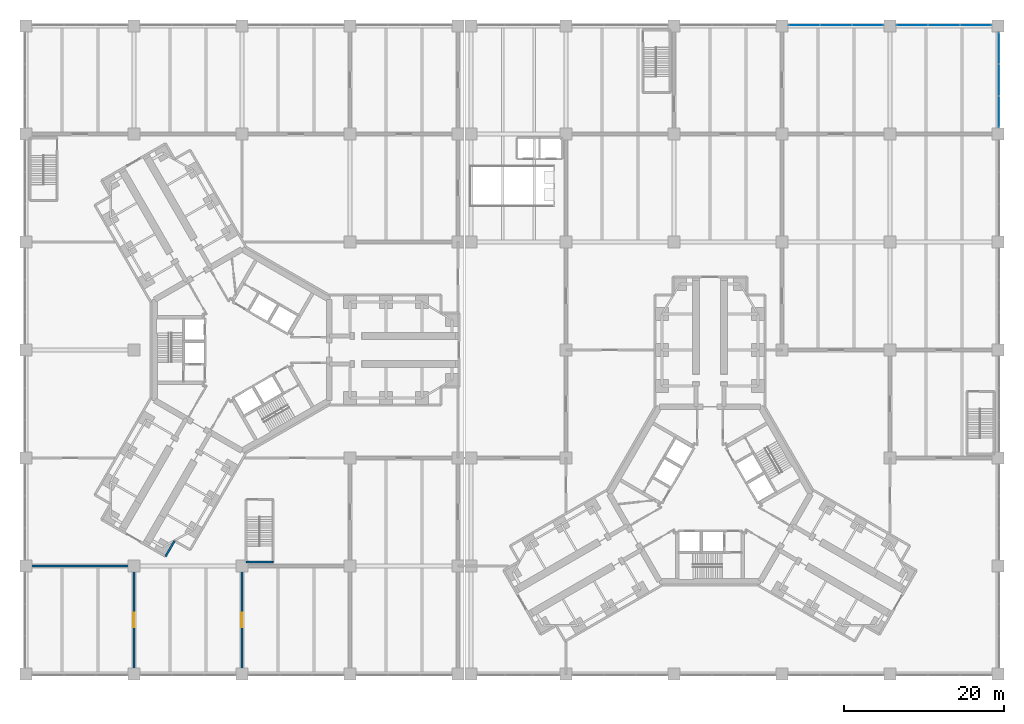
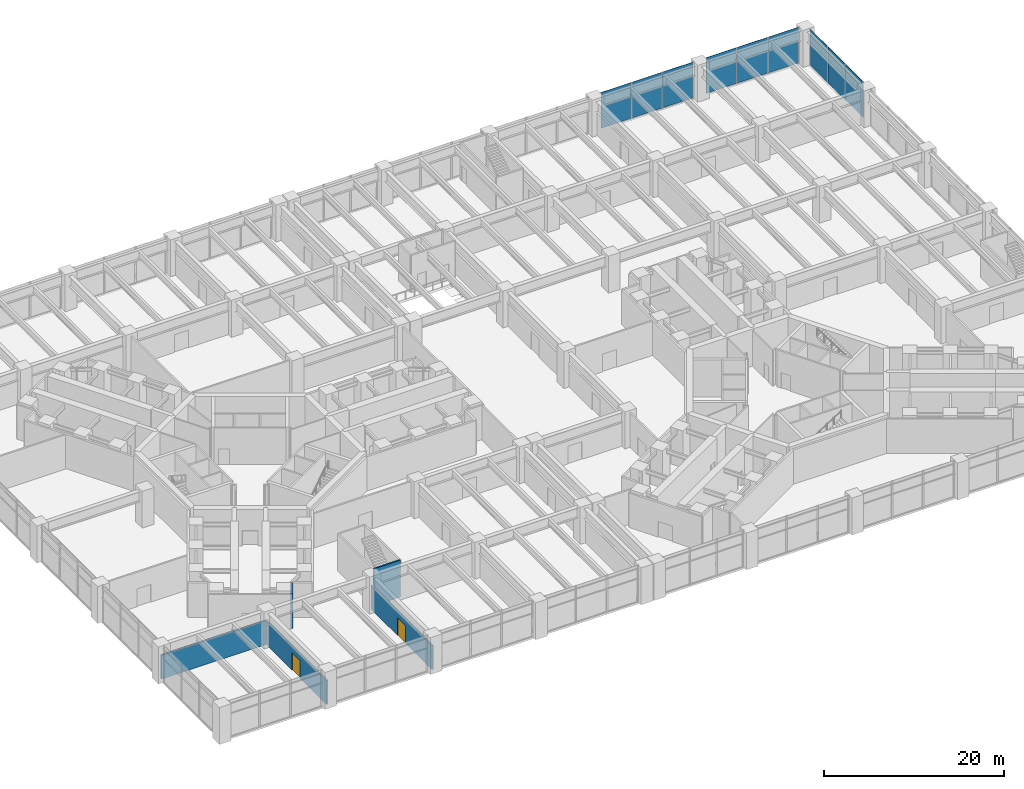
# One storey, part 20 of 31: 9 plates, 5 walls, 2 doors, 2 openings, 3 elements without a shape of their own.
"""IFC4 building model written with IfcOpenShell, lengths in metres."""

import ifcopenshell
import ifcopenshell.guid

model = None  # the IFC model being written
_history = None  # IfcOwnerHistory: only IFC2X3 demands one
_inside = {}  # id of a spatial element -> (the spatial element, [elements in it])
_under = {}  # id of a project, library or spatial element -> (it, [spatial elements below it])
_declared = {}  # id of a project -> (the project, [libraries it declares])
_typed = {}  # id of a type object -> (the type object, [elements of that type])
_made_of = {}  # id of a material, layer set ... -> (it, [elements and type objects made of it])


def new_model(schema):
    """Start an empty IFC model of exactly this schema.

    Asked for "IFC4X3", IfcOpenShell would pick the latest addendum, in which some entities
    have other attributes; the version numbers below select the first issue.
    IFC2X3 requires an IfcOwnerHistory on every rooted entity: one is made here for all.
    """
    global model, _history
    if schema == "IFC4X3":
        model = ifcopenshell.file(schema_version=(4, 3, 0, 0))
    else:
        model = ifcopenshell.file(schema=schema)
    _inside.clear()
    _under.clear()
    _declared.clear()
    _typed.clear()
    _made_of.clear()
    _history = None
    if model.schema == "IFC2X3":
        org = make("IfcOrganization", Name="unknown")
        user = make(
            "IfcPersonAndOrganization",
            ThePerson=make("IfcPerson", FamilyName="unknown"),
            TheOrganization=org,
        )
        app = make(
            "IfcApplication",
            ApplicationDeveloper=org,
            Version="unknown",
            ApplicationFullName="unknown",
            ApplicationIdentifier="unknown",
        )
        _history = make(
            "IfcOwnerHistory",
            OwningUser=user,
            OwningApplication=app,
            ChangeAction="ADDED",
            CreationDate=0,
        )
    return model


def make(cls, **values):
    """One entity of the class cls with the attributes given. An attribute that is None is left unset."""
    return model.create_entity(
        cls, **{name: value for name, value in values.items() if value is not None}
    )


def rooted(cls, **values):
    """An entity with a GlobalId (a new one), such as an element, a storey or a relation."""
    return make(cls, GlobalId=ifcopenshell.guid.new(), OwnerHistory=_history, **values)


def si_unit(unit_type, name, prefix=None):
    """IfcSIUnit, for example si_unit("LENGTHUNIT", "METRE", prefix="MILLI")."""
    return make("IfcSIUnit", UnitType=unit_type, Prefix=prefix, Name=name)


def assignment(units):
    """IfcUnitAssignment: the units of a project."""
    return None if units is None else make("IfcUnitAssignment", Units=units)


def point(xyz):
    """IfcCartesianPoint."""
    return None if xyz is None else make("IfcCartesianPoint", Coordinates=xyz)


def direction(xyz):
    """IfcDirection."""
    return None if xyz is None else make("IfcDirection", DirectionRatios=xyz)


def frame(location, z_axis=None, x_axis=None):
    """IfcAxis2Placement3D, a coordinate frame: its origin and axes. An axis left out is left unset."""
    return make(
        "IfcAxis2Placement3D",
        Location=point(location),
        Axis=direction(z_axis),
        RefDirection=direction(x_axis),
    )


def frame_2d(location, x_axis=None):
    """IfcAxis2Placement2D, a coordinate frame in the plane: its origin and x axis."""
    return make(
        "IfcAxis2Placement2D", Location=point(location), RefDirection=direction(x_axis)
    )


def origin():
    """The frame at (0, 0, 0) with its axes left unset."""
    return frame((0.0, 0.0, 0.0))


def origin_2d():
    """The frame at (0, 0) in the plane with its x axis left unset."""
    return frame_2d((0.0, 0.0))


def place(relative_to, where):
    """IfcLocalPlacement: puts the frame where relative to a parent placement (None: the world)."""
    return make(
        "IfcLocalPlacement", PlacementRelTo=relative_to, RelativePlacement=where
    )


def context(
    kind, dimensions, precision=None, world=None, true_north=None, identifier=None
):
    """IfcGeometricRepresentationContext, for example the 3D "Model" context."""
    return make(
        "IfcGeometricRepresentationContext",
        ContextIdentifier=identifier,
        ContextType=kind,
        CoordinateSpaceDimension=dimensions,
        Precision=precision,
        WorldCoordinateSystem=world,
        TrueNorth=true_north,
    )


def subcontext(parent, identifier, kind, view, scale=None):
    """IfcGeometricRepresentationSubContext, for example "Body" below "Model"."""
    return make(
        "IfcGeometricRepresentationSubContext",
        ContextIdentifier=identifier,
        ContextType=kind,
        ParentContext=parent,
        TargetScale=scale,
        TargetView=view,
    )


def project(units=None, contexts=None):
    """IfcProject with its units and contexts."""
    return rooted(
        "IfcProject",
        Name="project",
        RepresentationContexts=contexts,
        UnitsInContext=assignment(units),
    )


def spatial(cls, under=None, at=None, **own):
    """A site, building, storey or space (cls), placed at a placement, below another one or the project."""
    s = rooted(cls, ObjectPlacement=at, **own)
    if under is not None:
        _under.setdefault(under.id(), (under, []))[1].append(s)
    return s


def profile(cls, at=None, kind="AREA", **sizes):
    """A parametric profile (cls). Its sizes go by their IFC names, for example OverallWidth=200.0."""
    return make(cls, ProfileType=kind, Position=at, **sizes)


def rectangle(**sizes):
    """IfcRectangleProfileDef."""
    return profile("IfcRectangleProfileDef", **sizes)


def extrude(swept, where, along, depth):
    """IfcExtrudedAreaSolid: the profile swept, set in the frame where, extruded along a direction by depth."""
    return make(
        "IfcExtrudedAreaSolid",
        SweptArea=swept,
        Position=where,
        ExtrudedDirection=direction(along),
        Depth=depth,
    )


def shape(context_of_items, identifier, shape_type, items):
    """IfcShapeRepresentation: the items that make up one representation, for example the "Body"."""
    return make(
        "IfcShapeRepresentation",
        ContextOfItems=context_of_items,
        RepresentationIdentifier=identifier,
        RepresentationType=shape_type,
        Items=items,
    )


def material(Name=None, Category=None):
    """IfcMaterial."""
    return make("IfcMaterial", Name=Name, Category=Category)


def layer(
    of_material, thickness, ventilated=None, Name=None, Category=None, Priority=None
):
    """IfcMaterialLayer: one layer of a wall or slab, of a material (None: an air gap)."""
    return make(
        "IfcMaterialLayer",
        Material=of_material,
        LayerThickness=thickness,
        IsVentilated=ventilated,
        Name=Name,
        Category=Category,
        Priority=Priority,
    )


def layer_set(layers, Name=None):
    """IfcMaterialLayerSet."""
    return make("IfcMaterialLayerSet", MaterialLayers=layers, LayerSetName=Name)


def made_of(thing, what):
    """Note that an element or type object is made of a material, layer set ...; save() writes the relation."""
    if what is not None:
        _made_of.setdefault(what.id(), (what, []))[1].append(thing)
    return thing


def type_object(cls, material=None, **own):
    """A type object (cls), such as IfcWallType, which elements share."""
    return made_of(rooted(cls, **own), material)


def element(
    cls,
    number,
    at=None,
    inside=None,
    cuts=None,
    type_object=None,
    material=None,
    context=None,
    identifier="Body",
    shape_type=None,
    held_by="IfcProductDefinitionShape",
    body=None,
    shapes=None,
    **own,
):
    """One element of the class cls, such as IfcWall. Its Tag is "e" and its number.

    at: its placement. inside: the storey or other place that contains it. cuts: it is an
    opening in that element (IfcRelVoidsElement). A single representation is given by context,
    identifier, shape_type and body (its items); several are given by shapes. held_by: the class
    of the entity that holds the representations. save() writes the other relations.
    """
    e = rooted(cls, Tag="e%d" % number, ObjectPlacement=at, **own)
    if body is not None:
        shapes = [shape(context, identifier, shape_type, body)]
    if shapes is not None:
        e.Representation = make(held_by, Representations=shapes)
    if inside is not None:
        _inside.setdefault(inside.id(), (inside, []))[1].append(e)
    if cuts is not None:
        rooted(
            "IfcRelVoidsElement", RelatingBuildingElement=cuts, RelatedOpeningElement=e
        )
    if type_object is not None:
        _typed.setdefault(type_object.id(), (type_object, []))[1].append(e)
    return made_of(e, material)


def fill(opening, filler):
    """IfcRelFillsElement: the door or window that sits in an opening."""
    return rooted(
        "IfcRelFillsElement",
        RelatingOpeningElement=opening,
        RelatedBuildingElement=filler,
    )


def aggregate(whole, parts):
    """IfcRelAggregates: a whole, such as a stair, and the parts it consists of."""
    return rooted("IfcRelAggregates", RelatingObject=whole, RelatedObjects=parts)


def save(model, path):
    """Write the relations noted so far, then the file.

    IfcRelAggregates (storeys below a building ...), IfcRelContainedInSpatialStructure (elements
    in a storey), IfcRelDefinesByType, IfcRelAssociatesMaterial and IfcRelDeclares: one each for
    every whole, place, type object, material and project.
    """
    for whole, parts in _under.values():
        aggregate(whole, parts)
    for where, things in _inside.values():
        rooted(
            "IfcRelContainedInSpatialStructure",
            RelatedElements=things,
            RelatingStructure=where,
        )
    for kind, things in _typed.values():
        rooted("IfcRelDefinesByType", RelatedObjects=things, RelatingType=kind)
    for what, things in _made_of.values():
        rooted("IfcRelAssociatesMaterial", RelatedObjects=things, RelatingMaterial=what)
    for by, libraries in _declared.values():
        rooted("IfcRelDeclares", RelatingContext=by, RelatedDefinitions=libraries)
    model.write(path)


model = new_model("IFC4")

# Units and contexts
model_context = context("Model", 3, precision=1e-05, world=origin(), true_north=direction((0.0, 1.0)))
body_context = subcontext(model_context, "Body", "Model", "MODEL_VIEW")
ifc_project = project(units=[si_unit("LENGTHUNIT", "METRE"), si_unit("AREAUNIT", "SQUARE_METRE"), si_unit("VOLUMEUNIT", "CUBIC_METRE"), si_unit("PLANEANGLEUNIT", "RADIAN"), si_unit("MASSUNIT", "GRAM", prefix="KILO")], contexts=[model_context])

# Site, building, storey
site_placement = place(None, origin())
site = spatial("IfcSite", under=ifc_project, at=site_placement, CompositionType="ELEMENT")
building_placement = place(site_placement, origin())
building = spatial("IfcBuilding", under=site, at=building_placement, Name="Upepo Twin Towers", CompositionType="ELEMENT")
storey_placement = place(building_placement, frame((0.0, 0.0, 15.5)))
storey = spatial("IfcBuildingStorey", under=building, at=storey_placement, Name="L03", CompositionType="ELEMENT", Elevation=15.5)

# Curtain wall, plates
ifc_material_1 = material(Name="Aluminium and clear glass", Category="aluminium")
curtain_wall_type = type_object("IfcCurtainWallType", Name="Podium curtain wall PW1", PredefinedType="NOTDEFINED", material=ifc_material_1)
curtain_wall_1_placement = place(storey_placement, origin())
curtain_wall_1 = element("IfcCurtainWall", 1, at=curtain_wall_1_placement, inside=storey, type_object=curtain_wall_type, Name="Podium L03 curtain wall E6", PredefinedType="NOTDEFINED")
ifc_material_2 = material(Name="Ceramic-fritted laminated glass", Category="glass")
ifc_layer_1 = layer(ifc_material_2, 0.031982421875)
ifc_layer_set_1 = layer_set([ifc_layer_1], Name="Fritted glass panel, 32 mm double glazed")
plate_type_1 = type_object("IfcPlateType", Name="Fritted glass panel, 32 mm double glazed", PredefinedType="CURTAIN_PANEL", material=ifc_layer_set_1)
plate_1_placement = place(storey_placement, frame((94.60009765625, 29.78955078125, 0.14990234375), z_axis=(0.0, 0.0, 1.0), x_axis=(0.0, 1.0, 0.0)))
plate_1 = element("IfcPlate", 2, at=plate_1_placement, type_object=plate_type_1, Name="Podium L03 curtain wall E6 panel 1", PredefinedType="CURTAIN_PANEL", context=body_context, shape_type="SweptSolid", body=[
    extrude(rectangle(XDim=3.879150390625, YDim=0.031982421875, at=origin_2d()), origin(), (0.0, 0.0, 1.0), 4.85009765625),
])
plate_2_placement = place(storey_placement, frame((94.60009765625, 37.71044921875, 0.14990234375), z_axis=(0.0, 0.0, 1.0), x_axis=(0.0, 1.0, 0.0)))
plate_2 = element("IfcPlate", 3, at=plate_2_placement, type_object=plate_type_1, Name="Podium L03 curtain wall E6 panel 3", PredefinedType="CURTAIN_PANEL", context=body_context, shape_type="SweptSolid", body=[
    extrude(rectangle(XDim=3.879150390625, YDim=0.031982421875, at=origin_2d()), origin(), (0.0, 0.0, 1.0), 4.85009765625),
])

curtain_wall_2_placement = place(storey_placement, origin())
curtain_wall_2 = element("IfcCurtainWall", 4, at=curtain_wall_2_placement, inside=storey, type_object=curtain_wall_type, Name="Podium L03 curtain wall N1", PredefinedType="NOTDEFINED")
plate_3_placement = place(storey_placement, frame((91.71044921875, 40.60009765625, 0.14990234375), z_axis=(0.0, 0.0, 1.0), x_axis=(-1.0, 0.0, 0.0)))
plate_3 = element("IfcPlate", 5, at=plate_3_placement, type_object=plate_type_1, Name="Podium L03 curtain wall N1 panel 1", PredefinedType="CURTAIN_PANEL", context=body_context, shape_type="SweptSolid", body=[
    extrude(rectangle(XDim=3.879150390625, YDim=0.031982421875, at=origin_2d()), origin(), (0.0, 0.0, 1.0), 4.85009765625),
])
plate_4_placement = place(storey_placement, frame((83.78955078125, 40.60009765625, 0.14990234375), z_axis=(0.0, 0.0, 1.0), x_axis=(-1.0, 0.0, 0.0)))
plate_4 = element("IfcPlate", 6, at=plate_4_placement, type_object=plate_type_1, Name="Podium L03 curtain wall N1 panel 3", PredefinedType="CURTAIN_PANEL", context=body_context, shape_type="SweptSolid", body=[
    extrude(rectangle(XDim=3.879150390625, YDim=0.031982421875, at=origin_2d()), origin(), (0.0, 0.0, 1.0), 4.85009765625),
])

curtain_wall_3_placement = place(storey_placement, origin())
curtain_wall_3 = element("IfcCurtainWall", 7, at=curtain_wall_3_placement, inside=storey, type_object=curtain_wall_type, Name="Podium L03 curtain wall N2", PredefinedType="NOTDEFINED")
plate_5_placement = place(storey_placement, frame((78.21044921875, 40.60009765625, 0.14990234375), z_axis=(0.0, 0.0, 1.0), x_axis=(-1.0, 0.0, 0.0)))
plate_5 = element("IfcPlate", 8, at=plate_5_placement, type_object=plate_type_1, Name="Podium L03 curtain wall N2 panel 1", PredefinedType="CURTAIN_PANEL", context=body_context, shape_type="SweptSolid", body=[
    extrude(rectangle(XDim=3.879150390625, YDim=0.031982421875, at=origin_2d()), origin(), (0.0, 0.0, 1.0), 4.85009765625),
])
plate_6_placement = place(storey_placement, frame((70.28955078125, 40.60009765625, 0.14990234375), z_axis=(0.0, 0.0, 1.0), x_axis=(-1.0, 0.0, 0.0)))
plate_6 = element("IfcPlate", 9, at=plate_6_placement, type_object=plate_type_1, Name="Podium L03 curtain wall N2 panel 3", PredefinedType="CURTAIN_PANEL", context=body_context, shape_type="SweptSolid", body=[
    extrude(rectangle(XDim=3.879150390625, YDim=0.031982421875, at=origin_2d()), origin(), (0.0, 0.0, 1.0), 4.85009765625),
])

# Plate
ifc_material_3 = material(Name="Clear laminated glass in opening sash", Category="glass")
ifc_layer_2 = layer(ifc_material_3, 0.031982421875)
ifc_layer_set_2 = layer_set([ifc_layer_2], Name="Operable glass panel, 32 mm double glazed")
plate_type_2 = type_object("IfcPlateType", Name="Operable glass panel, 32 mm double glazed", PredefinedType="CURTAIN_PANEL", material=ifc_layer_set_2)
plate_7_placement = place(storey_placement, frame((94.60009765625, 33.75, 0.14990234375), z_axis=(0.0, 0.0, 1.0), x_axis=(0.0, 1.0, 0.0)))
plate_7 = element("IfcPlate", 10, at=plate_7_placement, type_object=plate_type_2, Name="Podium L03 curtain wall E6 panel 2", PredefinedType="CURTAIN_PANEL", context=body_context, shape_type="SweptSolid", body=[
    extrude(rectangle(XDim=3.91162109375, YDim=0.031982421875, at=origin_2d()), origin(), (0.0, 0.0, 1.0), 4.85009765625),
])

aggregate(curtain_wall_1, [plate_1, plate_7, plate_2])

plate_8_placement = place(storey_placement, frame((87.75, 40.60009765625, 0.14990234375), z_axis=(0.0, 0.0, 1.0), x_axis=(-1.0, 0.0, 0.0)))
plate_8 = element("IfcPlate", 11, at=plate_8_placement, type_object=plate_type_2, Name="Podium L03 curtain wall N1 panel 2", PredefinedType="CURTAIN_PANEL", context=body_context, shape_type="SweptSolid", body=[
    extrude(rectangle(XDim=3.91162109375, YDim=0.031982421875, at=origin_2d()), origin(), (0.0, 0.0, 1.0), 4.85009765625),
])

aggregate(curtain_wall_2, [plate_3, plate_8, plate_4])

plate_9_placement = place(storey_placement, frame((74.25, 40.60009765625, 0.14990234375), z_axis=(0.0, 0.0, 1.0), x_axis=(-1.0, 0.0, 0.0)))
plate_9 = element("IfcPlate", 12, at=plate_9_placement, type_object=plate_type_2, Name="Podium L03 curtain wall N2 panel 2", PredefinedType="CURTAIN_PANEL", context=body_context, shape_type="SweptSolid", body=[
    extrude(rectangle(XDim=3.91162109375, YDim=0.031982421875, at=origin_2d()), origin(), (0.0, 0.0, 1.0), 4.85009765625),
])

aggregate(curtain_wall_3, [plate_5, plate_9, plate_6])

# Wall, opening, door
ifc_material_4 = material(Name="Concrete blockwork", Category="masonry")
ifc_layer_3 = layer(ifc_material_4, 0.199951171875)
ifc_layer_set_3 = layer_set([ifc_layer_3], Name="Podium partition 200 blockwork")
wall_type_1 = type_object("IfcWallType", Name="Podium partition 200 blockwork", PredefinedType="PARTITIONING", material=ifc_layer_set_3)
wall_1_placement = place(storey_placement, frame((-13.5, -40.5, 0.0), z_axis=(0.0, 0.0, 1.0), x_axis=(0.0, 1.0, 0.0)))
wall_1 = element("IfcWall", 13, at=wall_1_placement, inside=storey, type_object=wall_type_1, Name="L03 podium wall X10", PredefinedType="PARTITIONING", context=body_context, shape_type="SweptSolid", body=[
    extrude(rectangle(XDim=13.5, YDim=0.199951171875, at=frame_2d((6.75, 0.0))), origin(), (0.0, 0.0, 1.0), 3.25),
])
opening_1_placement = place(wall_1_placement, frame((5.85009765625, 0.0, 0.0)))
opening_1 = element("IfcOpeningElement", 14, at=opening_1_placement, cuts=wall_1, Name="Opening D10", PredefinedType="OPENING", context=body_context, shape_type="SweptSolid", body=[
    extrude(rectangle(XDim=1.800048828125, YDim=2.39990234375, at=frame_2d((0.89990234375, 1.199951171875))), frame((0.0, 0.10986328125, 0.0), z_axis=(0.0, -1.0, 0.0), x_axis=(1.0, 0.0, 0.0)), (0.0, 0.0, 1.0), 0.219970703125),
])
ifc_material_5 = material(Name="Timber doorset", Category="wood")
door_type = type_object("IfcDoorType", Name="Podium double door 1800", OperationType="DOUBLE_DOOR_DOUBLE_SWING", PredefinedType="DOOR", material=ifc_material_5)
door_1_placement = place(opening_1_placement, origin())
door_1 = element("IfcDoor", 15, at=door_1_placement, inside=storey, type_object=door_type, Name="L03 sports equipment store door", OperationType="DOUBLE_DOOR_DOUBLE_SWING", OverallHeight=2.39990234375, OverallWidth=1.800048828125, PredefinedType="DOOR", context=body_context, shape_type="SweptSolid", body=[
    extrude(rectangle(XDim=1.800048828125, YDim=2.39990234375, at=frame_2d((0.89990234375, 1.199951171875))), frame((0.0, 0.02490234375, 0.0), z_axis=(0.0, -1.0, 0.0), x_axis=(1.0, 0.0, 0.0)), (0.0, 0.0, 1.0), 0.050048828125),
])
fill(opening_1, door_1)

# Wall
wall_2_placement = place(storey_placement, frame((-27.0, -27.0, 0.0), z_axis=(0.0, 0.0, 1.0), x_axis=(1.0, 0.0, 0.0)))
element("IfcWall", 16, at=wall_2_placement, inside=storey, type_object=wall_type_1, Name="L03 podium wall Y01", PredefinedType="PARTITIONING", context=body_context, shape_type="SweptSolid", body=[
    extrude(rectangle(XDim=13.5, YDim=0.199951171875, at=frame_2d((6.75, 0.0))), origin(), (0.0, 0.0, 1.0), 3.25),
])

# Wall, opening, door
wall_3_placement = place(storey_placement, frame((0.0, -40.5, 0.0), z_axis=(0.0, 0.0, 1.0), x_axis=(0.0, 1.0, 0.0)))
wall_3 = element("IfcWall", 17, at=wall_3_placement, inside=storey, type_object=wall_type_1, Name="L03 podium wall X20", PredefinedType="PARTITIONING", context=body_context, shape_type="SweptSolid", body=[
    extrude(rectangle(XDim=13.5, YDim=0.199951171875, at=frame_2d((6.75, 0.0))), origin(), (0.0, 0.0, 1.0), 3.25),
])
opening_2_placement = place(wall_3_placement, frame((5.85009765625, 0.0, 0.0)))
opening_2 = element("IfcOpeningElement", 18, at=opening_2_placement, cuts=wall_3, Name="Opening D10", PredefinedType="OPENING", context=body_context, shape_type="SweptSolid", body=[
    extrude(rectangle(XDim=1.800048828125, YDim=2.39990234375, at=frame_2d((0.89990234375, 1.199951171875))), frame((0.0, 0.10986328125, 0.0), z_axis=(0.0, -1.0, 0.0), x_axis=(1.0, 0.0, 0.0)), (0.0, 0.0, 1.0), 0.219970703125),
])
door_2_placement = place(opening_2_placement, origin())
door_2 = element("IfcDoor", 19, at=door_2_placement, inside=storey, type_object=door_type, Name="L03 changing rooms door", OperationType="DOUBLE_DOOR_DOUBLE_SWING", OverallHeight=2.39990234375, OverallWidth=1.800048828125, PredefinedType="DOOR", context=body_context, shape_type="SweptSolid", body=[
    extrude(rectangle(XDim=1.800048828125, YDim=2.39990234375, at=frame_2d((0.89990234375, 1.199951171875))), frame((0.0, 0.02490234375, 0.0), z_axis=(0.0, -1.0, 0.0), x_axis=(1.0, 0.0, 0.0)), (0.0, 0.0, 1.0), 0.050048828125),
])
fill(opening_2, door_2)

# Walls
ifc_material_6 = material(Name="Concrete C40/50", Category="concrete")
ifc_layer_4 = layer(ifc_material_6, 0.199951171875)
ifc_layer_set_4 = layer_set([ifc_layer_4], Name="Concrete C40/50")
wall_type_2 = type_object("IfcWallType", Name="Podium stair enclosure 200 RC", PredefinedType="SHEAR", material=ifc_layer_set_4)
wall_4_placement = place(storey_placement, frame((0.5, -26.5, 0.0), z_axis=(0.0, 0.0, 1.0), x_axis=(1.0, 0.0, 0.0)))
element("IfcWall", 20, at=wall_4_placement, inside=storey, type_object=wall_type_2, Name="PS3 L03 enclosure wall 1", PredefinedType="SHEAR", context=body_context, shape_type="SweptSolid", body=[
    extrude(rectangle(XDim=3.39990234375, YDim=0.199951171875, at=frame_2d((1.699951171875, 0.0))), origin(), (0.0, 0.0, 1.0), 5.0),
])
ifc_material_7 = material(Name="Concrete blockwork", Category="masonry")
ifc_layer_5 = layer(ifc_material_7, 0.25)
ifc_layer_set_5 = layer_set([ifc_layer_5], Name="Tower enclosure wall 250 blockwork")
wall_type_3 = type_object("IfcWallType", Name="Tower enclosure wall 250 blockwork", PredefinedType="STANDARD", material=ifc_layer_set_5)
wall_5_placement = place(storey_placement, frame((-8.43212890625, -23.85498046875, 0.0), z_axis=(0.0, 0.0, 1.0), x_axis=(-0.500013631625, -0.866017533419, 0.0)))
element("IfcWall", 21, at=wall_5_placement, inside=storey, type_object=wall_type_3, Name="T1 L03 enclosure wall 1", PredefinedType="STANDARD", context=body_context, shape_type="SweptSolid", body=[
    extrude(rectangle(XDim=2.25, YDim=0.25, at=frame_2d((1.125, 0.0))), origin(), (0.0, 0.0, 1.0), 4.64990234375),
])

save(model, "model.ifc")
